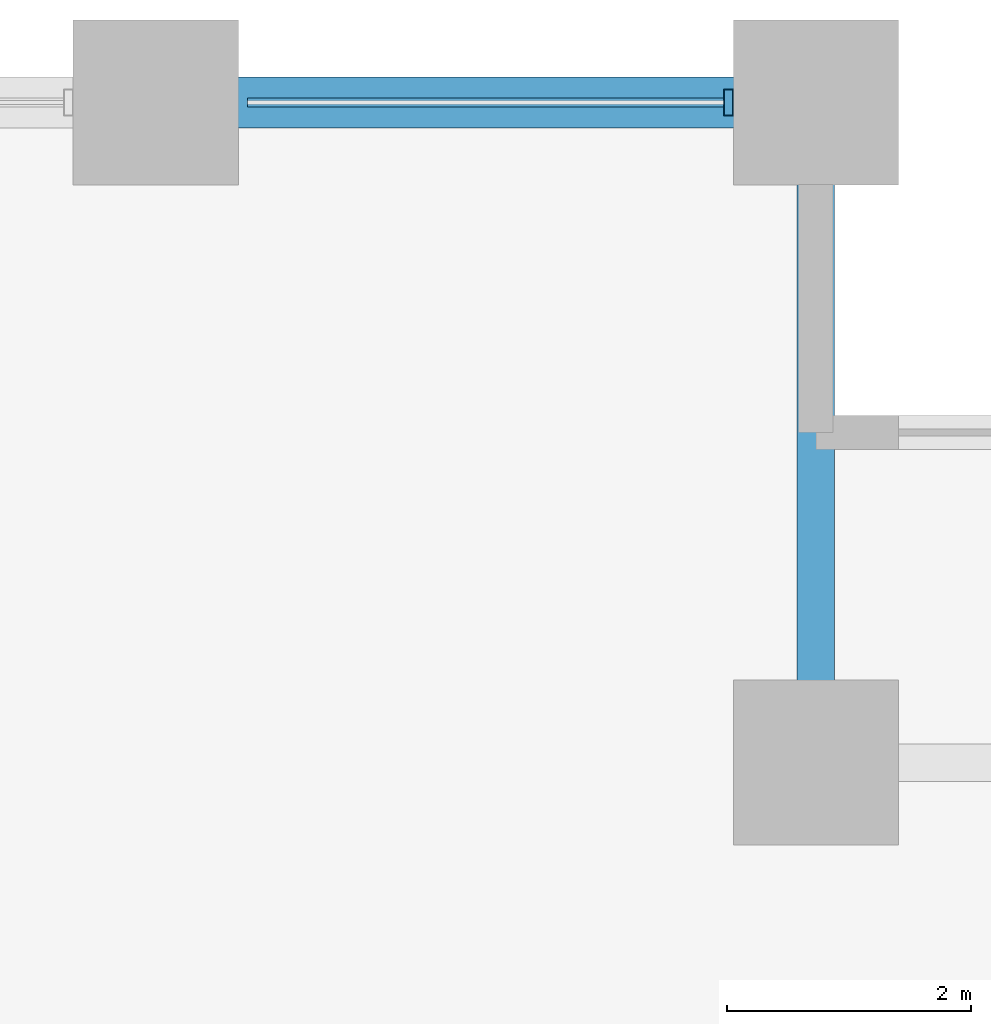
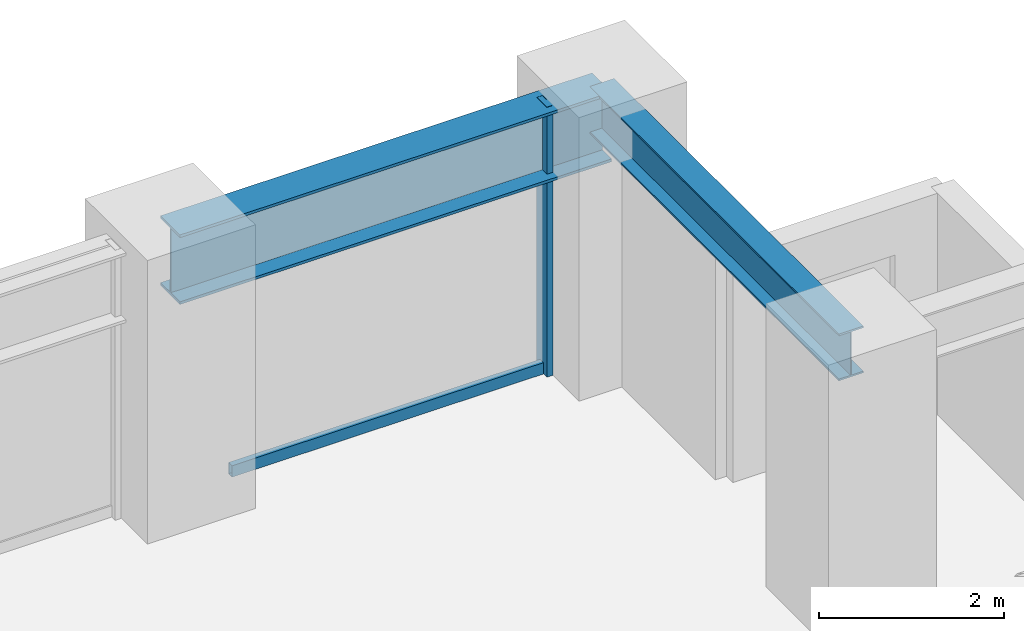
# One storey, part 16 of 24: 2 beams, 2 members, 1 element without a shape of its own.
"""IFC4 building model written with IfcOpenShell, lengths in metres."""

from ifc_helpers import new_model, si_unit, direction, frame, origin, origin_2d, place, context, subcontext, project, spatial, hollow_rectangle, i_section, extrude, material, layer, layer_set, material_profile, profile_set, type_object, element, aggregate, save


model = new_model("IFC4")

# Units and contexts
model_context = context("Model", 3, precision=1e-05, world=origin(), true_north=direction((0.0, 1.0)))
body_context = subcontext(model_context, "Body", "Model", "MODEL_VIEW")
ifc_project = project(units=[si_unit("LENGTHUNIT", "METRE"), si_unit("AREAUNIT", "SQUARE_METRE"), si_unit("VOLUMEUNIT", "CUBIC_METRE"), si_unit("PLANEANGLEUNIT", "RADIAN"), si_unit("MASSUNIT", "GRAM", prefix="KILO")], contexts=[model_context])

# Site, building, storey
site_placement = place(None, origin())
site = spatial("IfcSite", under=ifc_project, at=site_placement, CompositionType="ELEMENT")
building_placement = place(site_placement, origin())
building = spatial("IfcBuilding", under=site, at=building_placement, Name="Surkhivell Harbour Commons", CompositionType="ELEMENT")
storey_placement = place(building_placement, frame((0.0, 0.0, 26.25)))
storey = spatial("IfcBuildingStorey", under=building, at=storey_placement, Name="L06", CompositionType="ELEMENT", Elevation=26.25)

# Beams
ifc_material_1 = material(Name="Steel S355", Category="steel")
ifc_material_profile_1 = material_profile(ifc_material_1, i_section(OverallWidth=0.306884765625, OverallDepth=0.6201171875, WebThickness=0.01416015625, FlangeThickness=0.023681640625, at=origin_2d()), Name="UB610x305x179")
ifc_profile_set_1 = profile_set([ifc_material_profile_1], Name="Steel S355")
beam_type_1 = type_object("IfcBeamType", Name="BM-GRD-610A", PredefinedType="BEAM", material=ifc_profile_set_1)
beam_1_placement = place(storey_placement, frame((27.0, 20.5, 3.260009765625), z_axis=(0.0, 1.0, 0.0), x_axis=(-1.0, 0.0, 0.0)))
element("IfcBeam", 1, at=beam_1_placement, inside=storey, type_object=beam_type_1, Name="L06 Floor Girder (27.0,20.5)", PredefinedType="BEAM", context=body_context, shape_type="SweptSolid", body=[
    extrude(i_section(OverallWidth=0.306884765625, OverallDepth=0.6201171875, WebThickness=0.01416015625, FlangeThickness=0.023681640625, at=origin_2d()), origin(), (0.0, 0.0, 1.0), 5.39990234375),
])
ifc_material_2 = material(Name="Steel S460", Category="steel")
ifc_material_profile_2 = material_profile(ifc_material_2, i_section(OverallWidth=0.419921875, OverallDepth=0.9208984375, WebThickness=0.021484375, FlangeThickness=0.03662109375, at=origin_2d()), Name="UB914x419x388")
ifc_profile_set_2 = profile_set([ifc_material_profile_2], Name="Steel S460")
beam_type_2 = type_object("IfcBeamType", Name="BM-SPN-914A", PredefinedType="SPANDREL", material=ifc_profile_set_2)
beam_2_placement = place(storey_placement, frame((21.60009765625, 25.89990234375, 3.109619140625), z_axis=(1.0, 0.0, 0.0), x_axis=(0.0, 1.0, 0.0)))
element("IfcBeam", 2, at=beam_2_placement, inside=storey, type_object=beam_type_2, Name="L06 Tube Spandrel (21.6,25.9)", PredefinedType="SPANDREL", context=body_context, shape_type="SweptSolid", body=[
    extrude(i_section(OverallWidth=0.419921875, OverallDepth=0.9208984375, WebThickness=0.021484375, FlangeThickness=0.03662109375, at=origin_2d()), origin(), (0.0, 0.0, 1.0), 5.39990234375),
])

# Curtain wall, members
ifc_material_3 = material(Name="Anodised pale-metal aluminium and insulated glazing", Category="aluminium")
ifc_layer = layer(ifc_material_3, 0.219970703125)
ifc_layer_set = layer_set([ifc_layer], Name="Anodised pale-metal aluminium and insulated glazing")
curtain_wall_type = type_object("IfcCurtainWallType", Name="CW-SYS-Z1", PredefinedType="NOTDEFINED", material=ifc_layer_set)
curtain_wall_placement = place(storey_placement, origin())
curtain_wall = element("IfcCurtainWall", 3, at=curtain_wall_placement, inside=storey, type_object=curtain_wall_type, Name="L06 Curtain Wall CW-L06-E07S1", PredefinedType="NOTDEFINED")
ifc_material_4 = material(Name="Anodised pale-metal aluminium alloy 6063-T6", Category="aluminium")
ifc_material_profile_3 = material_profile(ifc_material_4, hollow_rectangle(XDim=0.074951171875, YDim=0.219970703125, WallThickness=0.00390625, at=origin_2d()), Name="ALU-MULL-75x220")
ifc_profile_set_3 = profile_set([ifc_material_profile_3], Name="Anodised pale-metal aluminium alloy 6063-T6")
member_type_1 = type_object("IfcMemberType", Name="CWM-220", PredefinedType="MULLION", material=ifc_profile_set_3)
member_1_placement = place(storey_placement, frame((26.285400390625, 25.89990234375, 0.0), z_axis=(0.0, 0.0, 1.0), x_axis=(-1.0, 0.0, 0.0)))
member_1 = element("IfcMember", 4, at=member_1_placement, type_object=member_type_1, Name="CW-Z1 mullion 1", PredefinedType="MULLION", context=body_context, shape_type="SweptSolid", body=[
    extrude(hollow_rectangle(XDim=0.074951171875, YDim=0.219970703125, WallThickness=0.00390625, at=origin_2d()), origin(), (0.0, 0.0, 1.0), 3.570068359375),
])
ifc_material_profile_4 = material_profile(ifc_material_4, hollow_rectangle(XDim=0.074951171875, YDim=0.14990234375, WallThickness=0.00341796875, at=origin_2d()), Name="ALU-TRAN-75x150")
ifc_profile_set_4 = profile_set([ifc_material_profile_4], Name="Anodised pale-metal aluminium alloy 6063-T6")
member_type_2 = type_object("IfcMemberType", Name="CWT-150", PredefinedType="USERDEFINED", material=ifc_profile_set_4)
member_2_placement = place(storey_placement, frame((26.248046875, 25.89990234375, 0.074951171875), z_axis=(-1.0, 0.0, 0.0), x_axis=(0.0, -1.0, 0.0)))
member_2 = element("IfcMember", 5, at=member_2_placement, type_object=member_type_2, Name="CW-Z1 transom 1.1", ObjectType="TRANSOM", PredefinedType="USERDEFINED", context=body_context, shape_type="SweptSolid", body=[
    extrude(hollow_rectangle(XDim=0.074951171875, YDim=0.14990234375, WallThickness=0.00341796875, at=origin_2d()), origin(), (0.0, 0.0, 1.0), 3.89599609375),
])
aggregate(curtain_wall, [member_1, member_2])

save(model, "model.ifc")
